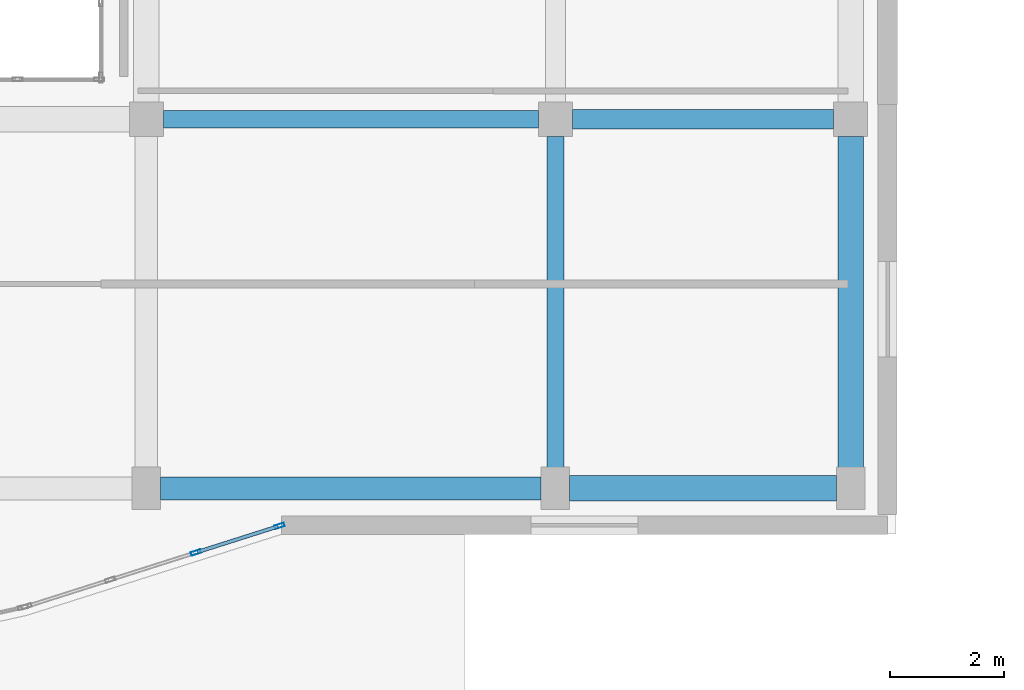
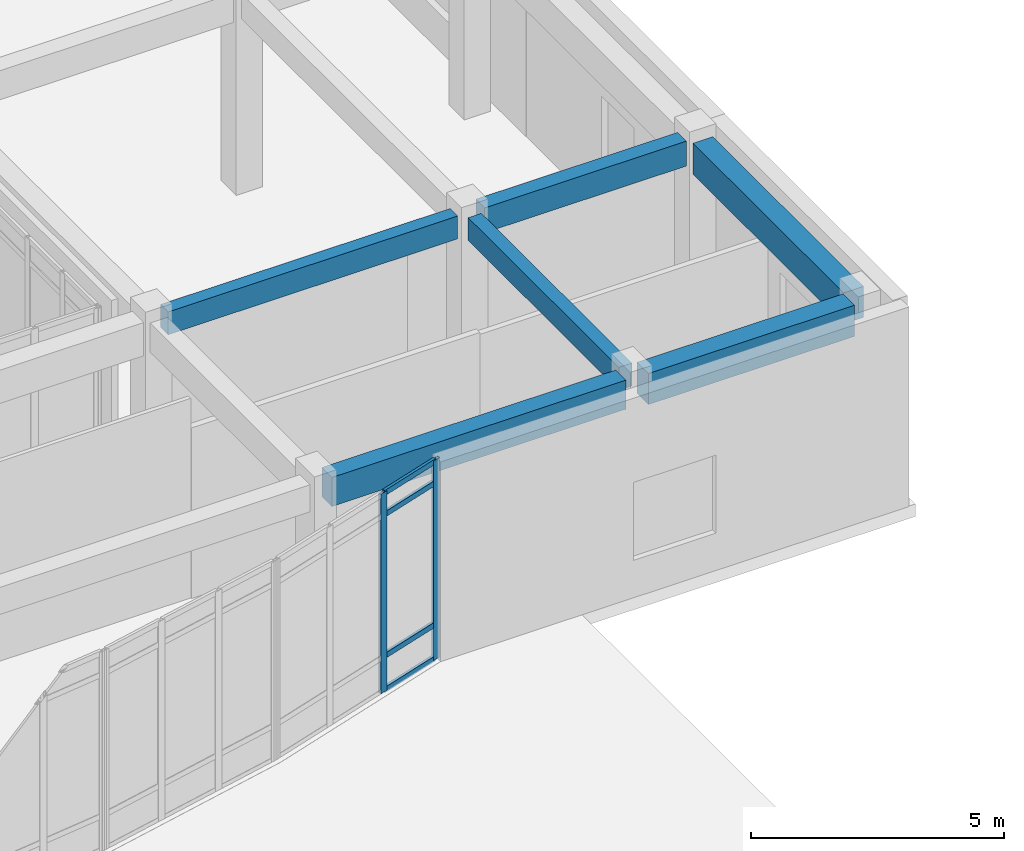
# One storey, part 77 of 121: 6 beams, 6 members, 1 element without a shape of its own.
"""IFC4 building model written with IfcOpenShell, lengths in metres."""

from ifc_helpers import new_model, si_unit, direction, frame, origin, origin_2d, place, context, subcontext, project, spatial, rectangle, hollow_rectangle, extrude, material, layer, layer_set, material_profile, profile_set, type_object, element, aggregate, save


model = new_model("IFC4")

# Units and contexts
model_context = context("Model", 3, precision=1e-05, world=origin(), true_north=direction((0.0, 1.0)))
body_context = subcontext(model_context, "Body", "Model", "MODEL_VIEW")
ifc_project = project(units=[si_unit("LENGTHUNIT", "METRE"), si_unit("AREAUNIT", "SQUARE_METRE"), si_unit("VOLUMEUNIT", "CUBIC_METRE"), si_unit("PLANEANGLEUNIT", "RADIAN"), si_unit("MASSUNIT", "GRAM", prefix="KILO")], contexts=[model_context])

# Site, building, storey
site_placement = place(None, origin())
site = spatial("IfcSite", under=ifc_project, at=site_placement, CompositionType="ELEMENT")
building_placement = place(site_placement, origin())
building = spatial("IfcBuilding", under=site, at=building_placement, Name="Valcora Specialist Clinic", CompositionType="ELEMENT")
storey_placement = place(building_placement, origin())
storey = spatial("IfcBuildingStorey", under=building, at=storey_placement, Name="L00", CompositionType="ELEMENT", Elevation=0.0)

# Beams
ifc_material_1 = material(Name="Concrete C40/50", Category="concrete")
ifc_material_profile_1 = material_profile(ifc_material_1, rectangle(XDim=0.300048828125, YDim=0.550048828125, at=origin_2d()), Name="RC-BM-300X550")
ifc_profile_set_1 = profile_set([ifc_material_profile_1], Name="Concrete C40/50")
beam_type_1 = type_object("IfcBeamType", Name="TY-BM-RC300X550", PredefinedType="BEAM", material=ifc_profile_set_1)
beam_1_placement = place(storey_placement, frame((126.300048828125, 81.300048828125, 4.534912109375), z_axis=(1.0, 0.0, 0.0), x_axis=(0.0, 1.0, 0.0)))
element("IfcBeam", 1, at=beam_1_placement, inside=storey, type_object=beam_type_1, Name="Beam BM-L00-0547", PredefinedType="BEAM", context=body_context, shape_type="SweptSolid", body=[
    extrude(rectangle(XDim=0.300048828125, YDim=0.550048828125, at=origin_2d()), origin(), (0.0, 0.0, 1.0), 6.599853515625),
])
beam_2_placement = place(storey_placement, frame((133.199951171875, 75.050048828125, 4.534912109375), z_axis=(0.0, 1.0, 0.0), x_axis=(-1.0, 0.0, 0.0)))
element("IfcBeam", 2, at=beam_2_placement, inside=storey, type_object=beam_type_1, Name="Beam BM-L00-0605", PredefinedType="BEAM", context=body_context, shape_type="SweptSolid", body=[
    extrude(rectangle(XDim=0.300048828125, YDim=0.550048828125, at=origin_2d()), origin(), (0.0, 0.0, 1.0), 5.949951171875),
])
ifc_material_profile_2 = material_profile(ifc_material_1, rectangle(XDim=0.35009765625, YDim=0.60009765625, at=origin_2d()), Name="RC-BM-350X600")
ifc_profile_set_2 = profile_set([ifc_material_profile_2], Name="Concrete C40/50")
beam_type_2 = type_object("IfcBeamType", Name="TY-BM-RC350X600", PredefinedType="BEAM", material=ifc_profile_set_2)
beam_3_placement = place(storey_placement, frame((133.5, 81.300048828125, 4.510009765625), z_axis=(1.0, 0.0, 0.0), x_axis=(0.0, 1.0, 0.0)))
element("IfcBeam", 3, at=beam_3_placement, inside=storey, type_object=beam_type_2, Name="Beam BM-L00-0548", PredefinedType="BEAM", context=body_context, shape_type="SweptSolid", body=[
    extrude(rectangle(XDim=0.35009765625, YDim=0.60009765625, at=origin_2d()), origin(), (0.0, 0.0, 1.0), 4.60009765625),
])
ifc_material_profile_3 = material_profile(ifc_material_1, rectangle(XDim=0.39990234375, YDim=0.699951171875, at=origin_2d()), Name="RC-BM-400X700")
ifc_profile_set_3 = profile_set([ifc_material_profile_3], Name="Concrete C40/50")
beam_type_3 = type_object("IfcBeamType", Name="TY-BM-RC400X700", PredefinedType="BEAM", material=ifc_profile_set_3)
beam_4_placement = place(storey_placement, frame((126.25, 74.800048828125, 4.4599609375), z_axis=(1.0, 0.0, 0.0), x_axis=(0.0, 1.0, 0.0)))
element("IfcBeam", 4, at=beam_4_placement, inside=storey, type_object=beam_type_3, Name="Beam BM-L00-0538", PredefinedType="BEAM", context=body_context, shape_type="SweptSolid", body=[
    extrude(rectangle(XDim=0.39990234375, YDim=0.699951171875, at=origin_2d()), origin(), (0.0, 0.0, 1.0), 6.699951171875),
])
ifc_material_profile_4 = material_profile(ifc_material_1, rectangle(XDim=0.449951171875, YDim=0.75, at=origin_2d()), Name="RC-BM-450X750")
ifc_profile_set_4 = profile_set([ifc_material_profile_4], Name="Concrete C40/50")
beam_type_4 = type_object("IfcBeamType", Name="TY-BM-RC450X750", PredefinedType="BEAM", material=ifc_profile_set_4)
beam_5_placement = place(storey_placement, frame((133.449951171875, 74.800048828125, 4.43505859375), z_axis=(1.0, 0.0, 0.0), x_axis=(0.0, 1.0, 0.0)))
element("IfcBeam", 5, at=beam_5_placement, inside=storey, type_object=beam_type_4, Name="Beam BM-L00-0539", PredefinedType="BEAM", context=body_context, shape_type="SweptSolid", body=[
    extrude(rectangle(XDim=0.449951171875, YDim=0.75, at=origin_2d()), origin(), (0.0, 0.0, 1.0), 4.699951171875),
])
beam_6_placement = place(storey_placement, frame((138.39990234375, 75.050048828125, 4.43505859375), z_axis=(0.0, 1.0, 0.0), x_axis=(-1.0, 0.0, 0.0)))
element("IfcBeam", 6, at=beam_6_placement, inside=storey, type_object=beam_type_4, Name="Beam BM-L00-0609", PredefinedType="BEAM", context=body_context, shape_type="SweptSolid", body=[
    extrude(rectangle(XDim=0.449951171875, YDim=0.75, at=origin_2d()), origin(), (0.0, 0.0, 1.0), 5.949951171875),
])

# Curtain wall, members
ifc_material_2 = material(Name="Anodized Bronze Aluminium 6063-T6", Category="aluminium")
ifc_layer = layer(ifc_material_2, 0.175048828125)
ifc_layer_set = layer_set([ifc_layer], Name="Anodized Bronze Aluminium 6063-T6")
curtain_wall_type = type_object("IfcCurtainWallType", Name="TY-CW-ARC51", PredefinedType="NOTDEFINED", material=ifc_layer_set)
curtain_wall_placement = place(storey_placement, origin())
curtain_wall = element("IfcCurtainWall", 7, at=curtain_wall_placement, inside=storey, type_object=curtain_wall_type, Name="Curtain wall CW-L00-021", PredefinedType="NOTDEFINED")
ifc_material_profile_5 = material_profile(ifc_material_2, hollow_rectangle(XDim=0.06494140625, YDim=0.175048828125, WallThickness=0.00390625, at=origin_2d()), Name="AL-MUL-65X175")
ifc_profile_set_5 = profile_set([ifc_material_profile_5], Name="Anodized Bronze Aluminium 6063-T6")
member_type_1 = type_object("IfcMemberType", Name="TY-CWM-65X175", PredefinedType="MULLION", material=ifc_profile_set_5)
member_1_placement = place(storey_placement, frame((128.345703125, 74.14013671875, 0.0), z_axis=(0.0, 0.0, 1.0), x_axis=(0.303233270958, -0.952916356972, 0.0)))
member_1 = element("IfcMember", 8, at=member_1_placement, type_object=member_type_1, Name="CW-ARC-51 mullion 1", PredefinedType="MULLION", context=body_context, shape_type="SweptSolid", body=[
    extrude(hollow_rectangle(XDim=0.06494140625, YDim=0.175048828125, WallThickness=0.00390625, at=origin_2d()), origin(), (0.0, 0.0, 1.0), 4.81005859375),
])
member_2_placement = place(storey_placement, frame((126.871337890625, 73.6708984375, 0.0), z_axis=(0.0, 0.0, 1.0), x_axis=(0.303233270958, -0.952916356972, 0.0)))
member_2 = element("IfcMember", 9, at=member_2_placement, type_object=member_type_1, Name="CW-ARC-51 mullion 2", PredefinedType="MULLION", context=body_context, shape_type="SweptSolid", body=[
    extrude(hollow_rectangle(XDim=0.06494140625, YDim=0.175048828125, WallThickness=0.00390625, at=origin_2d()), origin(), (0.0, 0.0, 1.0), 4.81005859375),
])
ifc_material_profile_6 = material_profile(ifc_material_2, hollow_rectangle(XDim=0.06494140625, YDim=0.1298828125, WallThickness=0.00390625, at=origin_2d()), Name="AL-TRN-65X130")
ifc_profile_set_6 = profile_set([ifc_material_profile_6], Name="Anodized Bronze Aluminium 6063-T6")
member_type_2 = type_object("IfcMemberType", Name="TY-CWT-65X130", PredefinedType="USERDEFINED", material=ifc_profile_set_6)
member_3_placement = place(storey_placement, frame((128.314697265625, 74.13037109375, 0.032470703125), z_axis=(-0.952910635624, -0.303251249816, 0.0), x_axis=(0.303251249816, -0.952910635624, 0.0)))
member_3 = element("IfcMember", 10, at=member_3_placement, type_object=member_type_2, Name="CW-ARC-51 transom 1.1", ObjectType="TRANSOM", PredefinedType="USERDEFINED", context=body_context, shape_type="SweptSolid", body=[
    extrude(hollow_rectangle(XDim=0.06494140625, YDim=0.1298828125, WallThickness=0.00390625, at=origin_2d()), origin(), (0.0, 0.0, 1.0), 1.482177734375),
])
member_4_placement = place(storey_placement, frame((128.314697265625, 74.13037109375, 0.85009765625), z_axis=(-0.952910635624, -0.303251249816, 0.0), x_axis=(0.303251249816, -0.952910635624, 0.0)))
member_4 = element("IfcMember", 11, at=member_4_placement, type_object=member_type_2, Name="CW-ARC-51 transom 1.2", ObjectType="TRANSOM", PredefinedType="USERDEFINED", context=body_context, shape_type="SweptSolid", body=[
    extrude(hollow_rectangle(XDim=0.06494140625, YDim=0.1298828125, WallThickness=0.00390625, at=origin_2d()), origin(), (0.0, 0.0, 1.0), 1.482177734375),
])
member_5_placement = place(storey_placement, frame((128.314697265625, 74.13037109375, 4.260009765625), z_axis=(-0.952910635624, -0.303251249816, 0.0), x_axis=(0.303251249816, -0.952910635624, 0.0)))
member_5 = element("IfcMember", 12, at=member_5_placement, type_object=member_type_2, Name="CW-ARC-51 transom 1.3", ObjectType="TRANSOM", PredefinedType="USERDEFINED", context=body_context, shape_type="SweptSolid", body=[
    extrude(hollow_rectangle(XDim=0.06494140625, YDim=0.1298828125, WallThickness=0.00390625, at=origin_2d()), origin(), (0.0, 0.0, 1.0), 1.482177734375),
])
member_6_placement = place(storey_placement, frame((128.314697265625, 74.13037109375, 4.777587890625), z_axis=(-0.952910635624, -0.303251249816, 0.0), x_axis=(0.303251249816, -0.952910635624, 0.0)))
member_6 = element("IfcMember", 13, at=member_6_placement, type_object=member_type_2, Name="CW-ARC-51 transom 1.4", ObjectType="TRANSOM", PredefinedType="USERDEFINED", context=body_context, shape_type="SweptSolid", body=[
    extrude(hollow_rectangle(XDim=0.06494140625, YDim=0.1298828125, WallThickness=0.00390625, at=origin_2d()), origin(), (0.0, 0.0, 1.0), 1.482177734375),
])
aggregate(curtain_wall, [member_1, member_2, member_3, member_4, member_5, member_6])

save(model, "model.ifc")
